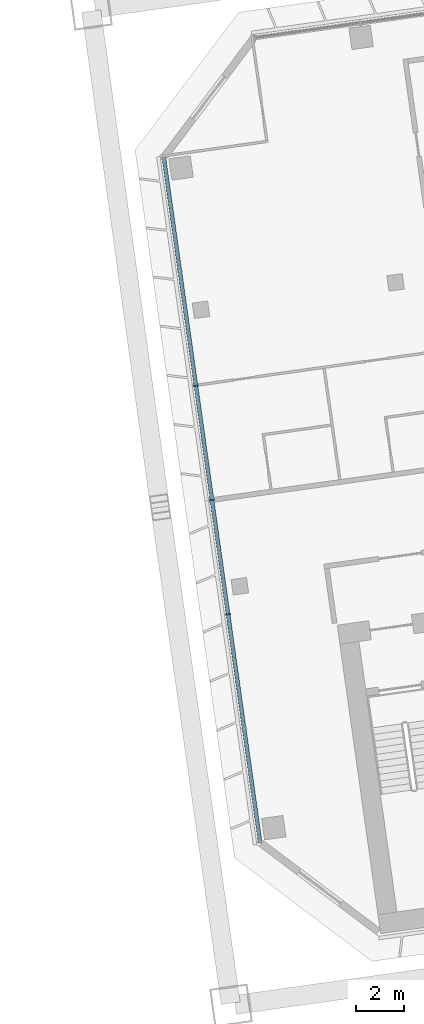
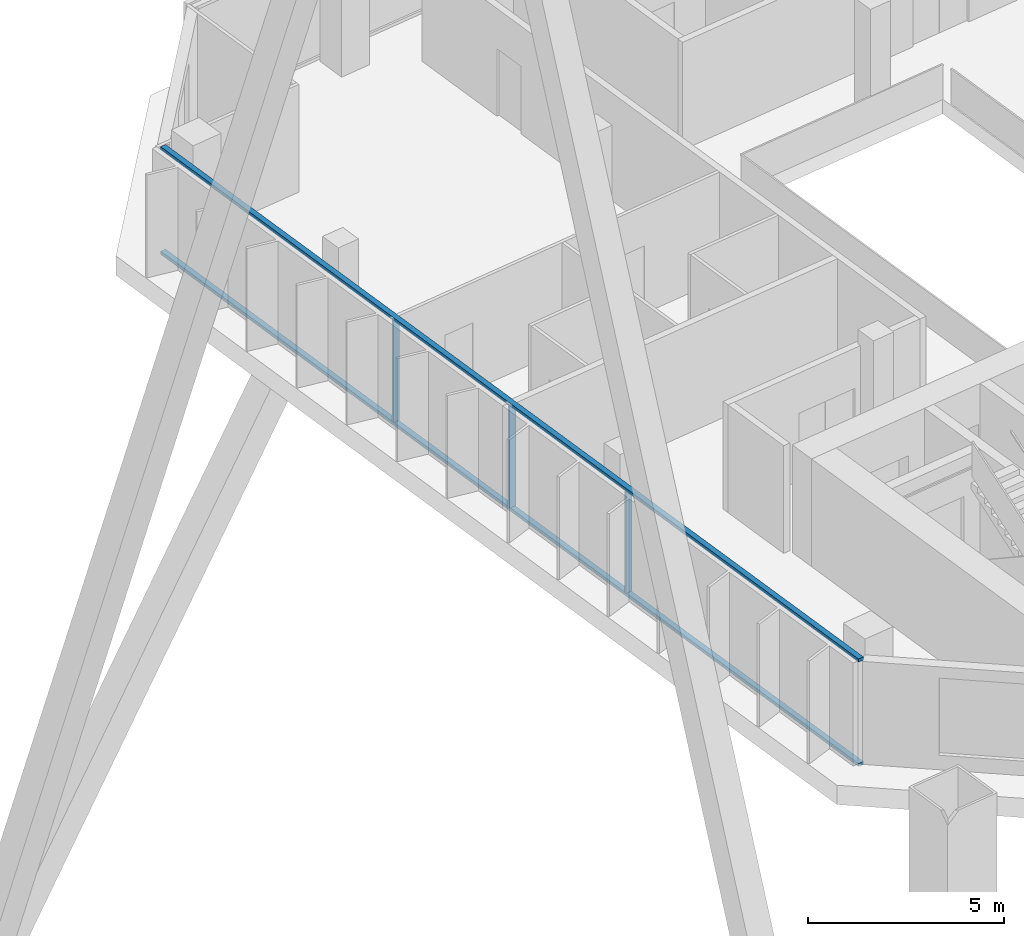
# One storey, part 19 of 41: 5 members, 1 element without a shape of its own.
"""IFC4 building model written with IfcOpenShell, lengths in metres."""

from ifc_helpers import new_model, si_unit, direction, frame, origin, origin_2d, place, context, subcontext, project, spatial, rectangle, extrude, material, material_profile, profile_set, type_object, element, aggregate, save


model = new_model("IFC4")

# Units and contexts
model_context = context("Model", 3, precision=1e-05, world=origin(), true_north=direction((0.0, 1.0)))
body_context = subcontext(model_context, "Body", "Model", "MODEL_VIEW")
ifc_project = project(units=[si_unit("LENGTHUNIT", "METRE"), si_unit("AREAUNIT", "SQUARE_METRE"), si_unit("VOLUMEUNIT", "CUBIC_METRE"), si_unit("PLANEANGLEUNIT", "RADIAN"), si_unit("MASSUNIT", "GRAM", prefix="KILO")], contexts=[model_context])

# Site, building, storey
site_placement = place(None, origin())
site = spatial("IfcSite", under=ifc_project, at=site_placement, CompositionType="ELEMENT")
building_placement = place(site_placement, origin())
building = spatial("IfcBuilding", under=site, at=building_placement, Name="Mirante Cascada Hotel Towers", CompositionType="ELEMENT")
storey_placement = place(building_placement, frame((0.0, 0.0, 125.3)))
storey = spatial("IfcBuildingStorey", under=building, at=storey_placement, Name="L28", CompositionType="ELEMENT", Elevation=125.3)

# Curtain wall, members
ifc_material_1 = material(Name="Aluminium mullion and transom frame with clear laminated glass", Category="aluminium")
curtain_wall_type = type_object("IfcCurtainWallType", Name="End ribbon curtain wall ECW2", PredefinedType="NOTDEFINED", material=ifc_material_1)
curtain_wall_placement = place(storey_placement, origin())
curtain_wall = element("IfcCurtainWall", 1, at=curtain_wall_placement, inside=storey, type_object=curtain_wall_type, Name="Inner end wall T2 L28", PredefinedType="NOTDEFINED")
ifc_material_2 = material(Name="Anodised aluminium extrusion", Category="aluminium")
ifc_material_profile_1 = material_profile(ifc_material_2, rectangle(XDim=0.2, YDim=0.065, at=origin_2d()), Name="ECW2 MULLION 65x200")
ifc_profile_set_1 = profile_set([ifc_material_profile_1], Name="Anodised aluminium extrusion")
member_type_1 = type_object("IfcMemberType", Name="ECW2 mullion 65x200", PredefinedType="MULLION", material=ifc_profile_set_1)
member_1_placement = place(storey_placement, frame((29.4788, 2.7867, 0.1), z_axis=(0.0, 0.0, 1.0), x_axis=(0.9902681, 0.1391731, 0.0)))
member_1 = element("IfcMember", 2, at=member_1_placement, type_object=member_type_1, Name="ECW2 mullion 3", PredefinedType="MULLION", context=body_context, shape_type="SweptSolid", body=[
    extrude(rectangle(XDim=0.2, YDim=0.065, at=origin_2d()), origin(), (0.0, 0.0, 1.0), 3.15),
])
member_2_placement = place(storey_placement, frame((30.1485, -1.9791, 0.1), z_axis=(0.0, 0.0, 1.0), x_axis=(0.9902681, 0.1391731, 0.0)))
member_2 = element("IfcMember", 3, at=member_2_placement, type_object=member_type_1, Name="ECW2 mullion 4", PredefinedType="MULLION", context=body_context, shape_type="SweptSolid", body=[
    extrude(rectangle(XDim=0.2, YDim=0.065, at=origin_2d()), origin(), (0.0, 0.0, 1.0), 3.15),
])
member_3_placement = place(storey_placement, frame((30.8183, -6.7449, 0.1), z_axis=(0.0, 0.0, 1.0), x_axis=(0.9902681, 0.1391731, 0.0)))
member_3 = element("IfcMember", 4, at=member_3_placement, type_object=member_type_1, Name="ECW2 mullion 5", PredefinedType="MULLION", context=body_context, shape_type="SweptSolid", body=[
    extrude(rectangle(XDim=0.2, YDim=0.065, at=origin_2d()), origin(), (0.0, 0.0, 1.0), 3.15),
])
ifc_material_3 = material(Name="Anodised aluminium extrusion", Category="aluminium")
ifc_material_profile_2 = material_profile(ifc_material_3, rectangle(XDim=0.16, YDim=0.1, at=origin_2d()), Name="ECW2 TRANSOM 100x160")
ifc_profile_set_2 = profile_set([ifc_material_profile_2], Name="Anodised aluminium extrusion")
member_type_2 = type_object("IfcMemberType", Name="ECW2 transom 100x160", PredefinedType="USERDEFINED", material=ifc_profile_set_2)
member_4_placement = place(storey_placement, frame((28.1392, 12.3182, 0.05), z_axis=(0.1391723, -0.9902682, 0.0), x_axis=(0.9902682, 0.1391723, 0.0)))
member_4 = element("IfcMember", 5, at=member_4_placement, type_object=member_type_2, Name="ECW2 sill transom", ObjectType="TRANSOM", PredefinedType="USERDEFINED", context=body_context, shape_type="SweptSolid", body=[
    extrude(rectangle(XDim=0.16, YDim=0.1, at=origin_2d()), origin(), (0.0, 0.0, 1.0), 28.8757),
])
member_5_placement = place(storey_placement, frame((28.1392, 12.3182, 3.3), z_axis=(0.1391723, -0.9902682, 0.0), x_axis=(0.9902682, 0.1391723, 0.0)))
member_5 = element("IfcMember", 6, at=member_5_placement, type_object=member_type_2, Name="ECW2 head transom", ObjectType="TRANSOM", PredefinedType="USERDEFINED", context=body_context, shape_type="SweptSolid", body=[
    extrude(rectangle(XDim=0.16, YDim=0.1, at=origin_2d()), origin(), (0.0, 0.0, 1.0), 28.8757),
])
aggregate(curtain_wall, [member_4, member_5, member_1, member_2, member_3])

save(model, "model.ifc")
